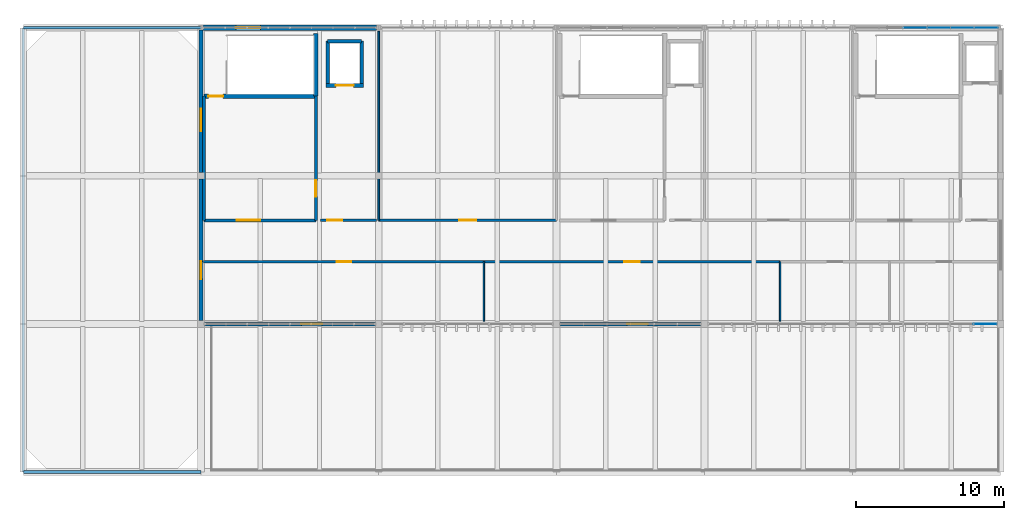
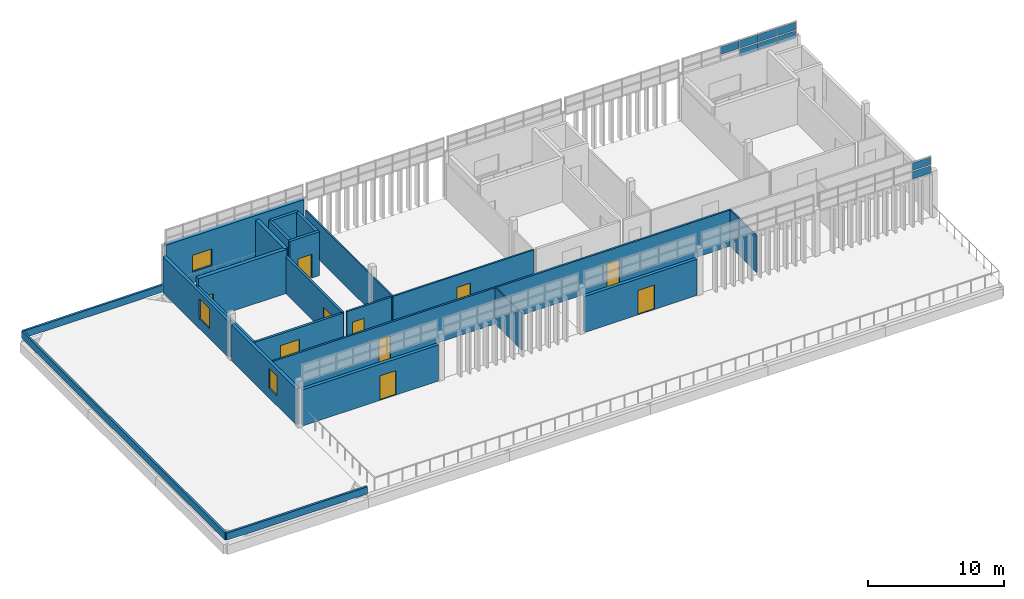
# One storey, part 33 of 36: 24 walls, 10 doors, 9 plates, 3 windows, 13 openings, 2 elements without a shape of their own.
"""IFC4 building model written with IfcOpenShell, lengths in metres."""

from ifc_helpers import new_model, si_unit, direction, frame, frame_2d, origin, origin_2d, place, context, subcontext, project, spatial, rectangle, extrude, material, layer, layer_set, type_object, element, fill, aggregate, save


model = new_model("IFC4")

# Units and contexts
model_context = context("Model", 3, precision=1e-05, world=origin(), true_north=direction((0.0, 1.0)))
body_context = subcontext(model_context, "Body", "Model", "MODEL_VIEW")
ifc_project = project(units=[si_unit("LENGTHUNIT", "METRE"), si_unit("AREAUNIT", "SQUARE_METRE"), si_unit("VOLUMEUNIT", "CUBIC_METRE"), si_unit("PLANEANGLEUNIT", "RADIAN"), si_unit("MASSUNIT", "GRAM", prefix="KILO")], contexts=[model_context])

# Site, building, storey
site_placement = place(None, origin())
site = spatial("IfcSite", under=ifc_project, at=site_placement, CompositionType="ELEMENT")
building_placement = place(site_placement, origin())
building = spatial("IfcBuilding", under=site, at=building_placement, Name="Mersad Railyard Sports Hall", CompositionType="ELEMENT")
storey_placement = place(building_placement, frame((0.0, 0.0, 21.60009765625)))
storey = spatial("IfcBuildingStorey", under=building, at=storey_placement, Name="L05", CompositionType="ELEMENT", Elevation=21.60009765625)

# Curtain wall, plates
ifc_material_1 = material(Name="Aluminium 6063-T6", Category="aluminium")
ifc_layer_1 = layer(ifc_material_1, 0.159912109375)
ifc_layer_set_1 = layer_set([ifc_layer_1], Name="Aluminium 6063-T6")
curtain_wall_type_1 = type_object("IfcCurtainWallType", Name="ARC-CW-CW50", PredefinedType="USERDEFINED", material=ifc_layer_set_1)
curtain_wall_1_placement = place(storey_placement, origin())
curtain_wall_1 = element("IfcCurtainWall", 1, at=curtain_wall_1_placement, inside=storey, type_object=curtain_wall_type_1, Name="Curtain wall CW50-0136", ObjectType="CURTAIN WALL", PredefinedType="USERDEFINED")
ifc_material_2 = material(Name="Solar-control glass", Category="glass")
ifc_layer_2 = layer(ifc_material_2, 0.028076171875)
ifc_layer_set_2 = layer_set([ifc_layer_2], Name="Solar-control glass")
plate_type = type_object("IfcPlateType", Name="ARC-CW-PNL01", PredefinedType="CURTAIN_PANEL", material=ifc_layer_set_2)
plate_1_placement = place(storey_placement, frame((119.96240234375, 95.0, 3.934814453125), z_axis=(0.0, 0.0, 1.0), x_axis=(-1.0, 0.0, 0.0)))
plate_1 = element("IfcPlate", 2, at=plate_1_placement, type_object=plate_type, Name="CW50 Glazed panel 1-1", PredefinedType="CURTAIN_PANEL", context=body_context, shape_type="SweptSolid", body=[
    extrude(rectangle(XDim=1.541015625, YDim=0.028076171875, at=origin_2d()), origin(), (0.0, 0.0, 1.0), 0.68505859375),
])
plate_2_placement = place(storey_placement, frame((119.96240234375, 95.0, 4.7099609375), z_axis=(0.0, 0.0, 1.0), x_axis=(-1.0, 0.0, 0.0)))
plate_2 = element("IfcPlate", 3, at=plate_2_placement, type_object=plate_type, Name="CW50 Glazed panel 1-2", PredefinedType="CURTAIN_PANEL", context=body_context, shape_type="SweptSolid", body=[
    extrude(rectangle(XDim=1.541015625, YDim=0.028076171875, at=origin_2d()), origin(), (0.0, 0.0, 1.0), 0.68505859375),
])
aggregate(curtain_wall_1, [plate_1, plate_2])

ifc_layer_3 = layer(ifc_material_1, 0.159912109375)
ifc_layer_set_3 = layer_set([ifc_layer_3], Name="Aluminium 6063-T6")
curtain_wall_type_2 = type_object("IfcCurtainWallType", Name="ARC-CW-CW51", PredefinedType="USERDEFINED", material=ifc_layer_set_3)
curtain_wall_2_placement = place(storey_placement, origin())
curtain_wall_2 = element("IfcCurtainWall", 4, at=curtain_wall_2_placement, inside=storey, type_object=curtain_wall_type_2, Name="Curtain wall CW51-0137", ObjectType="CURTAIN WALL", PredefinedType="USERDEFINED")
plate_3_placement = place(storey_placement, frame((115.195068359375, 115.0, 4.7099609375), z_axis=(0.0, 0.0, 1.0), x_axis=(1.0, 0.0, 0.0)))
plate_3 = element("IfcPlate", 5, at=plate_3_placement, type_object=plate_type, Name="CW51 Glazed panel 3-2", PredefinedType="CURTAIN_PANEL", context=body_context, shape_type="SweptSolid", body=[
    extrude(rectangle(XDim=1.56591796875, YDim=0.028076171875, at=origin_2d()), origin(), (0.0, 0.0, 1.0), 0.68505859375),
])
plate_4_placement = place(storey_placement, frame((116.804931640625, 115.0, 3.934814453125), z_axis=(0.0, 0.0, 1.0), x_axis=(1.0, 0.0, 0.0)))
plate_4 = element("IfcPlate", 6, at=plate_4_placement, type_object=plate_type, Name="CW51 Glazed panel 4-1", PredefinedType="CURTAIN_PANEL", context=body_context, shape_type="SweptSolid", body=[
    extrude(rectangle(XDim=1.56591796875, YDim=0.028076171875, at=origin_2d()), origin(), (0.0, 0.0, 1.0), 0.68505859375),
])
plate_5_placement = place(storey_placement, frame((116.804931640625, 115.0, 4.7099609375), z_axis=(0.0, 0.0, 1.0), x_axis=(1.0, 0.0, 0.0)))
plate_5 = element("IfcPlate", 7, at=plate_5_placement, type_object=plate_type, Name="CW51 Glazed panel 4-2", PredefinedType="CURTAIN_PANEL", context=body_context, shape_type="SweptSolid", body=[
    extrude(rectangle(XDim=1.56591796875, YDim=0.028076171875, at=origin_2d()), origin(), (0.0, 0.0, 1.0), 0.68505859375),
])
plate_6_placement = place(storey_placement, frame((118.4150390625, 115.0, 3.934814453125), z_axis=(0.0, 0.0, 1.0), x_axis=(1.0, 0.0, 0.0)))
plate_6 = element("IfcPlate", 8, at=plate_6_placement, type_object=plate_type, Name="CW51 Glazed panel 5-1", PredefinedType="CURTAIN_PANEL", context=body_context, shape_type="SweptSolid", body=[
    extrude(rectangle(XDim=1.56591796875, YDim=0.028076171875, at=origin_2d()), origin(), (0.0, 0.0, 1.0), 0.68505859375),
])
plate_7_placement = place(storey_placement, frame((118.4150390625, 115.0, 4.7099609375), z_axis=(0.0, 0.0, 1.0), x_axis=(1.0, 0.0, 0.0)))
plate_7 = element("IfcPlate", 9, at=plate_7_placement, type_object=plate_type, Name="CW51 Glazed panel 5-2", PredefinedType="CURTAIN_PANEL", context=body_context, shape_type="SweptSolid", body=[
    extrude(rectangle(XDim=1.56591796875, YDim=0.028076171875, at=origin_2d()), origin(), (0.0, 0.0, 1.0), 0.68505859375),
])
plate_8_placement = place(storey_placement, frame((120.02490234375, 115.0, 3.934814453125), z_axis=(0.0, 0.0, 1.0), x_axis=(1.0, 0.0, 0.0)))
plate_8 = element("IfcPlate", 10, at=plate_8_placement, type_object=plate_type, Name="CW51 Glazed panel 6-1", PredefinedType="CURTAIN_PANEL", context=body_context, shape_type="SweptSolid", body=[
    extrude(rectangle(XDim=1.56591796875, YDim=0.028076171875, at=origin_2d()), origin(), (0.0, 0.0, 1.0), 0.68505859375),
])
plate_9_placement = place(storey_placement, frame((120.02490234375, 115.0, 4.7099609375), z_axis=(0.0, 0.0, 1.0), x_axis=(1.0, 0.0, 0.0)))
plate_9 = element("IfcPlate", 11, at=plate_9_placement, type_object=plate_type, Name="CW51 Glazed panel 6-2", PredefinedType="CURTAIN_PANEL", context=body_context, shape_type="SweptSolid", body=[
    extrude(rectangle(XDim=1.56591796875, YDim=0.028076171875, at=origin_2d()), origin(), (0.0, 0.0, 1.0), 0.68505859375),
])
aggregate(curtain_wall_2, [plate_3, plate_4, plate_5, plate_6, plate_7, plate_8, plate_9])

# Wall, opening, window
ifc_material_3 = material(Name="Architectural concrete C50/60", Category="concrete")
ifc_layer_4 = layer(ifc_material_3, 0.35009765625)
ifc_layer_set_4 = layer_set([ifc_layer_4], Name="Architectural concrete C50/60")
wall_type_1 = type_object("IfcWallType", Name="ARC-WL-EW02", PredefinedType="SOLIDWALL", material=ifc_layer_set_4)
wall_1_placement = place(storey_placement, frame((67.14990234375, 115.0, 0.0), z_axis=(0.0, 0.0, 1.0), x_axis=(1.0, 0.0, 0.0)))
wall_1 = element("IfcWall", 12, at=wall_1_placement, inside=storey, type_object=wall_type_1, Name="External wall EW02-0147", PredefinedType="SOLIDWALL", context=body_context, shape_type="SweptSolid", body=[
    extrude(rectangle(XDim=11.7001953125, YDim=0.35009765625, at=frame_2d((5.85009765625, 0.0))), origin(), (0.0, 0.0, 1.0), 4.199951171875),
])
opening_1_placement = place(wall_1_placement, frame((2.199951171875, 0.0, 1.0)))
opening_1 = element("IfcOpeningElement", 13, at=opening_1_placement, cuts=wall_1, Name="Opening W04", PredefinedType="OPENING", context=body_context, shape_type="SweptSolid", body=[
    extrude(rectangle(XDim=1.64990234375, YDim=1.5, at=frame_2d((0.824951171875, 0.75))), frame((0.0, 0.18505859375, 0.0), z_axis=(0.0, -1.0, 0.0), x_axis=(1.0, 0.0, 0.0)), (0.0, 0.0, 1.0), 0.3701171875),
])
window_type_1 = type_object("IfcWindowType", Name="ARC-WN-W04", PartitioningType="SINGLE_PANEL", PredefinedType="WINDOW", material=ifc_material_2)
window_1_placement = place(opening_1_placement, origin())
window_1 = element("IfcWindow", 14, at=window_1_placement, inside=storey, type_object=window_type_1, Name="Window W04-0056", OverallHeight=1.5, OverallWidth=1.64990234375, PartitioningType="SINGLE_PANEL", PredefinedType="WINDOW", context=body_context, shape_type="SweptSolid", body=[
    extrude(rectangle(XDim=1.64990234375, YDim=1.5, at=frame_2d((0.824951171875, 0.75))), frame((0.0, 0.030029296875, 0.0), z_axis=(0.0, -1.0, 0.0), x_axis=(1.0, 0.0, 0.0)), (0.0, 0.0, 1.0), 0.06005859375),
])
fill(opening_1, window_1)

# Wall, opening, door
ifc_material_4 = material(Name="Precast concrete C45/55", Category="concrete")
ifc_layer_5 = layer(ifc_material_4, 0.280029296875)
ifc_layer_set_5 = layer_set([ifc_layer_5], Name="Precast concrete C45/55")
wall_type_2 = type_object("IfcWallType", Name="ARC-WL-EW03", PredefinedType="SOLIDWALL", material=ifc_layer_set_5)
wall_2_placement = place(storey_placement, frame((78.77490234375, 95.0, 0.0), z_axis=(0.0, 0.0, 1.0), x_axis=(-1.0, 0.0, 0.0)))
wall_2 = element("IfcWall", 15, at=wall_2_placement, inside=storey, type_object=wall_type_2, Name="External wall EW03-0150", PredefinedType="SOLIDWALL", context=body_context, shape_type="SweptSolid", body=[
    extrude(rectangle(XDim=11.5498046875, YDim=0.280029296875, at=frame_2d((5.77490234375, 0.0))), origin(), (0.0, 0.0, 1.0), 3.25),
])
opening_2_placement = place(wall_2_placement, frame((3.60009765625, 0.0, 0.0)))
opening_2 = element("IfcOpeningElement", 16, at=opening_2_placement, cuts=wall_2, Name="Opening TD03", PredefinedType="OPENING", context=body_context, shape_type="SweptSolid", body=[
    extrude(rectangle(XDim=1.39990234375, YDim=2.199951171875, at=frame_2d((0.699951171875, 1.10009765625))), frame((0.0, 0.14990234375, 0.0), z_axis=(0.0, -1.0, 0.0), x_axis=(1.0, 0.0, 0.0)), (0.0, 0.0, 1.0), 0.300048828125),
])
door_type_1 = type_object("IfcDoorType", Name="ARC-DR-TD03", OperationType="NOTDEFINED", PredefinedType="DOOR", material=ifc_material_1)
door_1_placement = place(opening_2_placement, origin())
door_1 = element("IfcDoor", 17, at=door_1_placement, inside=storey, type_object=door_type_1, Name="L05 south terrace door TD03-046", OperationType="DOUBLE_DOOR_SINGLE_SWING", OverallHeight=2.199951171875, OverallWidth=1.39990234375, PredefinedType="DOOR", context=body_context, shape_type="SweptSolid", body=[
    extrude(rectangle(XDim=1.39990234375, YDim=2.199951171875, at=frame_2d((0.699951171875, 1.10009765625))), frame((0.0, 0.02490234375, 0.0), z_axis=(0.0, -1.0, 0.0), x_axis=(1.0, 0.0, 0.0)), (0.0, 0.0, 1.0), 0.050048828125),
])
fill(opening_2, door_1)

wall_3_placement = place(storey_placement, frame((100.77490234375, 95.0, 0.0), z_axis=(0.0, 0.0, 1.0), x_axis=(-1.0, 0.0, 0.0)))
wall_3 = element("IfcWall", 18, at=wall_3_placement, inside=storey, type_object=wall_type_2, Name="External wall EW03-0151", PredefinedType="SOLIDWALL", context=body_context, shape_type="SweptSolid", body=[
    extrude(rectangle(XDim=9.5498046875, YDim=0.280029296875, at=frame_2d((4.77490234375, 0.0))), origin(), (0.0, 0.0, 1.0), 3.25),
])
opening_3_placement = place(wall_3_placement, frame((3.60009765625, 0.0, 0.0)))
opening_3 = element("IfcOpeningElement", 19, at=opening_3_placement, cuts=wall_3, Name="Opening TD03", PredefinedType="OPENING", context=body_context, shape_type="SweptSolid", body=[
    extrude(rectangle(XDim=1.39990234375, YDim=2.199951171875, at=frame_2d((0.699951171875, 1.10009765625))), frame((0.0, 0.14990234375, 0.0), z_axis=(0.0, -1.0, 0.0), x_axis=(1.0, 0.0, 0.0)), (0.0, 0.0, 1.0), 0.300048828125),
])
door_2_placement = place(opening_3_placement, origin())
door_2 = element("IfcDoor", 20, at=door_2_placement, inside=storey, type_object=door_type_1, Name="L05 south terrace door TD03-047", OperationType="DOUBLE_DOOR_SINGLE_SWING", OverallHeight=2.199951171875, OverallWidth=1.39990234375, PredefinedType="DOOR", context=body_context, shape_type="SweptSolid", body=[
    extrude(rectangle(XDim=1.39990234375, YDim=2.199951171875, at=frame_2d((0.699951171875, 1.10009765625))), frame((0.0, 0.02490234375, 0.0), z_axis=(0.0, -1.0, 0.0), x_axis=(1.0, 0.0, 0.0)), (0.0, 0.0, 1.0), 0.050048828125),
])
fill(opening_3, door_2)

# Wall, opening, window
wall_4_placement = place(storey_placement, frame((67.0, 95.22509765625, 0.0), z_axis=(0.0, 0.0, 1.0), x_axis=(0.0, 1.0, 0.0)))
wall_4 = element("IfcWall", 21, at=wall_4_placement, inside=storey, type_object=wall_type_2, Name="External wall EW03-0152", PredefinedType="SOLIDWALL", context=body_context, shape_type="SweptSolid", body=[
    extrude(rectangle(XDim=9.5498046875, YDim=0.280029296875, at=frame_2d((4.77490234375, 0.0))), origin(), (0.0, 0.0, 1.0), 3.25),
])
opening_4_placement = place(wall_4_placement, frame((2.800048828125, 0.0, 0.89990234375)))
opening_4 = element("IfcOpeningElement", 22, at=opening_4_placement, cuts=wall_4, Name="Opening W09", PredefinedType="OPENING", context=body_context, shape_type="SweptSolid", body=[
    extrude(rectangle(XDim=1.199951171875, YDim=1.800048828125, at=frame_2d((0.60009765625, 0.89990234375))), frame((0.0, 0.14990234375, 0.0), z_axis=(0.0, -1.0, 0.0), x_axis=(1.0, 0.0, 0.0)), (0.0, 0.0, 1.0), 0.300048828125),
])
window_type_2 = type_object("IfcWindowType", Name="ARC-WN-W09", PartitioningType="SINGLE_PANEL", PredefinedType="WINDOW", material=ifc_material_2)
window_2_placement = place(opening_4_placement, origin())
window_2 = element("IfcWindow", 23, at=window_2_placement, inside=storey, type_object=window_type_2, Name="Window W09-0059", OverallHeight=1.800048828125, OverallWidth=1.199951171875, PartitioningType="SINGLE_PANEL", PredefinedType="WINDOW", context=body_context, shape_type="SweptSolid", body=[
    extrude(rectangle(XDim=1.199951171875, YDim=1.800048828125, at=frame_2d((0.60009765625, 0.89990234375))), frame((0.0, 0.030029296875, 0.0), z_axis=(0.0, -1.0, 0.0), x_axis=(1.0, 0.0, 0.0)), (0.0, 0.0, 1.0), 0.06005859375),
])
fill(opening_4, window_2)

wall_5_placement = place(storey_placement, frame((67.0, 105.22509765625, 0.0), z_axis=(0.0, 0.0, 1.0), x_axis=(0.0, 1.0, 0.0)))
wall_5 = element("IfcWall", 24, at=wall_5_placement, inside=storey, type_object=wall_type_2, Name="External wall EW03-0153", PredefinedType="SOLIDWALL", context=body_context, shape_type="SweptSolid", body=[
    extrude(rectangle(XDim=9.625, YDim=0.280029296875, at=frame_2d((4.8125, 0.0))), origin(), (0.0, 0.0, 1.0), 3.25),
])
opening_5_placement = place(wall_5_placement, frame((2.800048828125, 0.0, 0.89990234375)))
opening_5 = element("IfcOpeningElement", 25, at=opening_5_placement, cuts=wall_5, Name="Opening W10", PredefinedType="OPENING", context=body_context, shape_type="SweptSolid", body=[
    extrude(rectangle(XDim=1.5, YDim=1.800048828125, at=frame_2d((0.75, 0.89990234375))), frame((0.0, 0.14990234375, 0.0), z_axis=(0.0, -1.0, 0.0), x_axis=(1.0, 0.0, 0.0)), (0.0, 0.0, 1.0), 0.300048828125),
])
window_type_3 = type_object("IfcWindowType", Name="ARC-WN-W10", PartitioningType="SINGLE_PANEL", PredefinedType="WINDOW", material=ifc_material_2)
window_3_placement = place(opening_5_placement, origin())
window_3 = element("IfcWindow", 26, at=window_3_placement, inside=storey, type_object=window_type_3, Name="Window W10-0060", OverallHeight=1.800048828125, OverallWidth=1.5, PartitioningType="SINGLE_PANEL", PredefinedType="WINDOW", context=body_context, shape_type="SweptSolid", body=[
    extrude(rectangle(XDim=1.5, YDim=1.800048828125, at=frame_2d((0.75, 0.89990234375))), frame((0.0, 0.030029296875, 0.0), z_axis=(0.0, -1.0, 0.0), x_axis=(1.0, 0.0, 0.0)), (0.0, 0.0, 1.0), 0.06005859375),
])
fill(opening_5, window_3)

# Walls
ifc_layer_6 = layer(ifc_material_4, 0.179931640625)
ifc_layer_set_6 = layer_set([ifc_layer_6], Name="Precast concrete C45/55")
wall_type_3 = type_object("IfcWallType", Name="ARC-WL-PP02", PredefinedType="PARAPET", material=ifc_layer_set_6)
wall_6_placement = place(storey_placement, frame((55.0, 85.0, 0.0), z_axis=(0.0, 0.0, 1.0), x_axis=(1.0, 0.0, 0.0)))
element("IfcWall", 27, at=wall_6_placement, inside=storey, type_object=wall_type_3, Name="External wall PP02-0164", PredefinedType="PARAPET", context=body_context, shape_type="SweptSolid", body=[
    extrude(rectangle(XDim=12.0, YDim=0.179931640625, at=frame_2d((6.0, 0.0))), origin(), (0.0, 0.0, 1.0), 0.64990234375),
])
wall_7_placement = place(storey_placement, frame((55.0, 85.0, 0.0), z_axis=(0.0, 0.0, 1.0), x_axis=(0.0, 1.0, 0.0)))
element("IfcWall", 28, at=wall_7_placement, inside=storey, type_object=wall_type_3, Name="External wall PP02-0165", PredefinedType="PARAPET", context=body_context, shape_type="SweptSolid", body=[
    extrude(rectangle(XDim=30.0, YDim=0.179931640625, at=frame_2d((15.0, 0.0))), origin(), (0.0, 0.0, 1.0), 0.64990234375),
])
wall_8_placement = place(storey_placement, frame((55.0, 115.0, 0.0), z_axis=(0.0, 0.0, 1.0), x_axis=(1.0, 0.0, 0.0)))
element("IfcWall", 29, at=wall_8_placement, inside=storey, type_object=wall_type_3, Name="External wall PP02-0166", PredefinedType="PARAPET", context=body_context, shape_type="SweptSolid", body=[
    extrude(rectangle(XDim=12.0, YDim=0.179931640625, at=frame_2d((6.0, 0.0))), origin(), (0.0, 0.0, 1.0), 0.64990234375),
])
ifc_layer_7 = layer(ifc_material_4, 0.199951171875)
ifc_layer_set_7 = layer_set([ifc_layer_7], Name="Precast concrete C45/55")
wall_type_4 = type_object("IfcWallType", Name="ARC-WL-PT01", PredefinedType="PARTITIONING", material=ifc_layer_set_7)
wall_9_placement = place(storey_placement, frame((67.199951171875, 102.0, 0.0), z_axis=(0.0, 0.0, 1.0), x_axis=(0.0, 1.0, 0.0)))
element("IfcWall", 30, at=wall_9_placement, inside=storey, type_object=wall_type_4, Name="Interior wall PT01-0189", PredefinedType="PARTITIONING", context=body_context, shape_type="SweptSolid", body=[
    extrude(rectangle(XDim=8.3798828125, YDim=0.199951171875, at=frame_2d((4.18994140625, 0.0))), origin(), (0.0, 0.0, 1.0), 3.25),
])

# Wall, opening, door
wall_10_placement = place(storey_placement, frame((67.199951171875, 102.0, 0.0), z_axis=(0.0, 0.0, 1.0), x_axis=(1.0, 0.0, 0.0)))
wall_10 = element("IfcWall", 31, at=wall_10_placement, inside=storey, type_object=wall_type_4, Name="Interior wall PT01-0190", PredefinedType="PARTITIONING", context=body_context, shape_type="SweptSolid", body=[
    extrude(rectangle(XDim=7.550048828125, YDim=0.199951171875, at=frame_2d((3.77490234375, 0.0))), origin(), (0.0, 0.0, 1.0), 3.25),
])
opening_6_placement = place(wall_10_placement, frame((2.199951171875, 0.0, 0.0)))
opening_6 = element("IfcOpeningElement", 32, at=opening_6_placement, cuts=wall_10, Name="Opening FD04", PredefinedType="OPENING", context=body_context, shape_type="SweptSolid", body=[
    extrude(rectangle(XDim=1.60009765625, YDim=2.199951171875, at=frame_2d((0.800048828125, 1.10009765625))), frame((0.0, 0.10986328125, 0.0), z_axis=(0.0, -1.0, 0.0), x_axis=(1.0, 0.0, 0.0)), (0.0, 0.0, 1.0), 0.219970703125),
])
ifc_material_5 = material(Name="Steel S355", Category="steel")
door_type_2 = type_object("IfcDoorType", Name="ARC-DR-FD04", OperationType="NOTDEFINED", PredefinedType="DOOR", material=ifc_material_5)
door_3_placement = place(opening_6_placement, origin())
door_3 = element("IfcDoor", 33, at=door_3_placement, inside=storey, type_object=door_type_2, Name="C1 firefighting lobby door FD04-0066", OperationType="DOUBLE_DOOR_SINGLE_SWING", OverallHeight=2.199951171875, OverallWidth=1.60009765625, PredefinedType="DOOR", context=body_context, shape_type="SweptSolid", body=[
    extrude(rectangle(XDim=1.60009765625, YDim=2.199951171875, at=frame_2d((0.800048828125, 1.10009765625))), frame((0.0, 0.02490234375, 0.0), z_axis=(0.0, -1.0, 0.0), x_axis=(1.0, 0.0, 0.0)), (0.0, 0.0, 1.0), 0.050048828125),
])
fill(opening_6, door_3)

wall_11_placement = place(storey_placement, frame((74.75, 102.0, 0.0), z_axis=(0.0, 0.0, 1.0), x_axis=(0.0, 1.0, 0.0)))
wall_11 = element("IfcWall", 34, at=wall_11_placement, inside=storey, type_object=wall_type_4, Name="Interior wall PT01-0191", PredefinedType="PARTITIONING", context=body_context, shape_type="SweptSolid", body=[
    extrude(rectangle(XDim=8.3798828125, YDim=0.199951171875, at=frame_2d((4.18994140625, 0.0))), origin(), (0.0, 0.0, 1.0), 3.2998046875),
])
opening_7_placement = place(wall_11_placement, frame((1.60009765625, 0.0, 0.0)))
opening_7 = element("IfcOpeningElement", 35, at=opening_7_placement, cuts=wall_11, Name="Opening FD01", PredefinedType="OPENING", context=body_context, shape_type="SweptSolid", body=[
    extrude(rectangle(XDim=1.10009765625, YDim=2.14990234375, at=frame_2d((0.550048828125, 1.074951171875))), frame((0.0, 0.10986328125, 0.0), z_axis=(0.0, -1.0, 0.0), x_axis=(1.0, 0.0, 0.0)), (0.0, 0.0, 1.0), 0.219970703125),
])
door_type_3 = type_object("IfcDoorType", Name="ARC-DR-FD01", OperationType="NOTDEFINED", PredefinedType="DOOR", material=ifc_material_5)
door_4_placement = place(opening_7_placement, origin())
door_4 = element("IfcDoor", 36, at=door_4_placement, inside=storey, type_object=door_type_3, Name="C1 lift-to-firefighting lobby door FD01-0067", OperationType="SINGLE_SWING_RIGHT", OverallHeight=2.14990234375, OverallWidth=1.10009765625, PredefinedType="DOOR", context=body_context, shape_type="SweptSolid", body=[
    extrude(rectangle(XDim=1.10009765625, YDim=2.14990234375, at=frame_2d((0.550048828125, 1.074951171875))), frame((0.0, 0.02490234375, 0.0), z_axis=(0.0, -1.0, 0.0), x_axis=(1.0, 0.0, 0.0)), (0.0, 0.0, 1.0), 0.050048828125),
])
fill(opening_7, door_4)

ifc_material_6 = material(Name="Gypsum plasterboard", Category="gypsum")
ifc_layer_8 = layer(ifc_material_6, 0.159912109375)
ifc_layer_set_8 = layer_set([ifc_layer_8], Name="Gypsum plasterboard")
wall_type_5 = type_object("IfcWallType", Name="ARC-WL-PT02", PredefinedType="PARTITIONING", material=ifc_layer_set_8)
wall_12_placement = place(storey_placement, frame((75.070068359375, 102.0, 0.0), z_axis=(0.0, 0.0, 1.0), x_axis=(1.0, 0.0, 0.0)))
wall_12 = element("IfcWall", 37, at=wall_12_placement, inside=storey, type_object=wall_type_5, Name="Interior wall PT02-0192", PredefinedType="PARTITIONING", context=body_context, shape_type="SweptSolid", body=[
    extrude(rectangle(XDim=3.780029296875, YDim=0.159912109375, at=frame_2d((1.89013671875, 0.0))), origin(), (0.0, 0.0, 1.0), 3.25),
])
opening_8_placement = place(wall_12_placement, frame((0.449951171875, 0.0, 0.0)))
opening_8 = element("IfcOpeningElement", 38, at=opening_8_placement, cuts=wall_12, Name="Opening FD02", PredefinedType="OPENING", context=body_context, shape_type="SweptSolid", body=[
    extrude(rectangle(XDim=1.0, YDim=2.14990234375, at=frame_2d((0.5, 1.074951171875))), frame((0.0, 0.08984375, 0.0), z_axis=(0.0, -1.0, 0.0), x_axis=(1.0, 0.0, 0.0)), (0.0, 0.0, 1.0), 0.179931640625),
])
door_type_4 = type_object("IfcDoorType", Name="ARC-DR-FD02", OperationType="NOTDEFINED", PredefinedType="DOOR", material=ifc_material_5)
door_5_placement = place(opening_8_placement, origin())
door_5 = element("IfcDoor", 39, at=door_5_placement, inside=storey, type_object=door_type_4, Name="C1 lift lobby corridor door FD02-0068", OperationType="SINGLE_SWING_LEFT", OverallHeight=2.14990234375, OverallWidth=1.0, PredefinedType="DOOR", context=body_context, shape_type="SweptSolid", body=[
    extrude(rectangle(XDim=1.0, YDim=2.14990234375, at=frame_2d((0.5, 1.074951171875))), frame((0.0, 0.02490234375, 0.0), z_axis=(0.0, -1.0, 0.0), x_axis=(1.0, 0.0, 0.0)), (0.0, 0.0, 1.0), 0.050048828125),
])
fill(opening_8, door_5)

wall_13_placement = place(storey_placement, frame((67.179931640625, 99.199951171875, 0.0), z_axis=(0.0, 0.0, 1.0), x_axis=(1.0, 0.0, 0.0)))
wall_13 = element("IfcWall", 40, at=wall_13_placement, inside=storey, type_object=wall_type_5, Name="Interior wall PT02-0515", PredefinedType="PARTITIONING", context=body_context, shape_type="SweptSolid", body=[
    extrude(rectangle(XDim=18.920166015625, YDim=0.159912109375, at=frame_2d((9.4599609375, 0.0))), origin(), (0.0, 0.0, 1.0), 3.25),
])
opening_9_placement = place(wall_13_placement, frame((8.969970703125, 0.0, 0.0)))
opening_9 = element("IfcOpeningElement", 41, at=opening_9_placement, cuts=wall_13, Name="Opening FD06", PredefinedType="OPENING", context=body_context, shape_type="SweptSolid", body=[
    extrude(rectangle(XDim=0.97998046875, YDim=2.10009765625, at=frame_2d((0.489990234375, 1.050048828125))), frame((0.0, 0.08984375, 0.0), z_axis=(0.0, -1.0, 0.0), x_axis=(1.0, 0.0, 0.0)), (0.0, 0.0, 1.0), 0.179931640625),
])
door_type_5 = type_object("IfcDoorType", Name="ARC-DR-FD06", OperationType="NOTDEFINED", PredefinedType="DOOR", material=ifc_material_5)
door_6_placement = place(opening_9_placement, origin())
door_6 = element("IfcDoor", 42, at=door_6_placement, inside=storey, type_object=door_type_5, Name="L05 south room door FD06-0232", OperationType="SINGLE_SWING_RIGHT", OverallHeight=2.10009765625, OverallWidth=0.97998046875, PredefinedType="DOOR", context=body_context, shape_type="SweptSolid", body=[
    extrude(rectangle(XDim=0.97998046875, YDim=2.10009765625, at=frame_2d((0.489990234375, 1.050048828125))), frame((0.0, 0.02490234375, 0.0), z_axis=(0.0, -1.0, 0.0), x_axis=(1.0, 0.0, 0.0)), (0.0, 0.0, 1.0), 0.050048828125),
])
fill(opening_9, door_6)

wall_14_placement = place(storey_placement, frame((86.10009765625, 99.199951171875, 0.0), z_axis=(0.0, 0.0, 1.0), x_axis=(1.0, 0.0, 0.0)))
wall_14 = element("IfcWall", 43, at=wall_14_placement, inside=storey, type_object=wall_type_5, Name="Interior wall PT02-0516", PredefinedType="PARTITIONING", context=body_context, shape_type="SweptSolid", body=[
    extrude(rectangle(XDim=20.0, YDim=0.159912109375, at=frame_2d((10.0, 0.0))), origin(), (0.0, 0.0, 1.0), 3.25),
])
opening_10_placement = place(wall_14_placement, frame((9.47509765625, 0.0, 0.0)))
opening_10 = element("IfcOpeningElement", 44, at=opening_10_placement, cuts=wall_14, Name="Opening FD07", PredefinedType="OPENING", context=body_context, shape_type="SweptSolid", body=[
    extrude(rectangle(XDim=1.050048828125, YDim=2.10009765625, at=frame_2d((0.52490234375, 1.050048828125))), frame((0.0, 0.08984375, 0.0), z_axis=(0.0, -1.0, 0.0), x_axis=(1.0, 0.0, 0.0)), (0.0, 0.0, 1.0), 0.179931640625),
])
door_type_6 = type_object("IfcDoorType", Name="ARC-DR-FD07", OperationType="NOTDEFINED", PredefinedType="DOOR", material=ifc_material_5)
door_7_placement = place(opening_10_placement, origin())
door_7 = element("IfcDoor", 45, at=door_7_placement, inside=storey, type_object=door_type_6, Name="L05 south room door FD07-0233", OperationType="SINGLE_SWING_LEFT", OverallHeight=2.10009765625, OverallWidth=1.050048828125, PredefinedType="DOOR", context=body_context, shape_type="SweptSolid", body=[
    extrude(rectangle(XDim=1.050048828125, YDim=2.10009765625, at=frame_2d((0.52490234375, 1.050048828125))), frame((0.0, 0.02490234375, 0.0), z_axis=(0.0, -1.0, 0.0), x_axis=(1.0, 0.0, 0.0)), (0.0, 0.0, 1.0), 0.050048828125),
])
fill(opening_10, door_7)

ifc_layer_9 = layer(ifc_material_6, 0.139892578125)
ifc_layer_set_9 = layer_set([ifc_layer_9], Name="Gypsum plasterboard")
wall_type_6 = type_object("IfcWallType", Name="ARC-WL-PT03", PredefinedType="PARTITIONING", material=ifc_layer_set_9)
wall_15_placement = place(storey_placement, frame((79.0, 102.0, 0.0), z_axis=(0.0, 0.0, 1.0), x_axis=(1.0, 0.0, 0.0)))
wall_15 = element("IfcWall", 46, at=wall_15_placement, inside=storey, type_object=wall_type_6, Name="Interior wall PT03-0522", PredefinedType="PARTITIONING", context=body_context, shape_type="SweptSolid", body=[
    extrude(rectangle(XDim=12.0, YDim=0.139892578125, at=frame_2d((6.0, 0.0))), origin(), (0.0, 0.0, 1.0), 3.25),
])
opening_11_placement = place(wall_15_placement, frame((5.425048828125, 0.0, 0.0)))
opening_11 = element("IfcOpeningElement", 47, at=opening_11_placement, cuts=wall_15, Name="Opening FD08", PredefinedType="OPENING", context=body_context, shape_type="SweptSolid", body=[
    extrude(rectangle(XDim=1.14990234375, YDim=2.14990234375, at=frame_2d((0.574951171875, 1.074951171875))), frame((0.0, 0.079833984375, 0.0), z_axis=(0.0, -1.0, 0.0), x_axis=(1.0, 0.0, 0.0)), (0.0, 0.0, 1.0), 0.159912109375),
])
door_type_7 = type_object("IfcDoorType", Name="ARC-DR-FD08", OperationType="NOTDEFINED", PredefinedType="DOOR", material=ifc_material_5)
door_8_placement = place(opening_11_placement, origin())
door_8 = element("IfcDoor", 48, at=door_8_placement, inside=storey, type_object=door_type_7, Name="L05 north studio door FD08-0236", OperationType="SINGLE_SWING_RIGHT", OverallHeight=2.14990234375, OverallWidth=1.14990234375, PredefinedType="DOOR", context=body_context, shape_type="SweptSolid", body=[
    extrude(rectangle(XDim=1.14990234375, YDim=2.14990234375, at=frame_2d((0.574951171875, 1.074951171875))), frame((0.0, 0.02490234375, 0.0), z_axis=(0.0, -1.0, 0.0), x_axis=(1.0, 0.0, 0.0)), (0.0, 0.0, 1.0), 0.050048828125),
])
fill(opening_11, door_8)

# Walls
ifc_layer_10 = layer(ifc_material_6, 0.1201171875)
ifc_layer_set_10 = layer_set([ifc_layer_10], Name="Gypsum plasterboard")
wall_type_7 = type_object("IfcWallType", Name="ARC-WL-PT04", PredefinedType="PARTITIONING", material=ifc_layer_set_10)
wall_16_placement = place(storey_placement, frame((79.0, 102.0, 0.0), z_axis=(0.0, 0.0, 1.0), x_axis=(0.0, 1.0, 0.0)))
element("IfcWall", 49, at=wall_16_placement, inside=storey, type_object=wall_type_7, Name="Interior wall PT04-0523", PredefinedType="PARTITIONING", context=body_context, shape_type="SweptSolid", body=[
    extrude(rectangle(XDim=12.75, YDim=0.1201171875, at=frame_2d((6.375, 0.0))), origin(), (0.0, 0.0, 1.0), 3.25),
])
ifc_layer_11 = layer(ifc_material_6, 0.10009765625)
ifc_layer_set_11 = layer_set([ifc_layer_11], Name="Gypsum plasterboard")
wall_type_8 = type_object("IfcWallType", Name="ARC-WL-PT05", PredefinedType="PARTITIONING", material=ifc_layer_set_11)
for number, where, z_axis, x_axis, name in (
    (50, (86.10009765625, 95.18994140625, 0.0), (0.0, 0.0, 1.0), (0.0, 1.0, 0.0), "Interior wall PT05-0517"),
    (51, (106.10009765625, 95.18994140625, 0.0), (0.0, 0.0, 1.0), (0.0, 1.0, 0.0), "Interior wall PT05-0519"),
):
    element("IfcWall", number, at=place(storey_placement, frame(where, z_axis=z_axis, x_axis=x_axis)), inside=storey, type_object=wall_type_8, Name=name, PredefinedType="PARTITIONING", context=body_context, shape_type="SweptSolid", body=[
        extrude(rectangle(XDim=4.010009765625, YDim=0.10009765625, at=frame_2d((2.0048828125, 0.0))), origin(), (0.0, 0.0, 1.0), 3.2998046875),
    ])

# Wall, opening, door
ifc_material_7 = material(Name="Concrete C40/50", Category="concrete")
ifc_layer_12 = layer(ifc_material_7, 0.320068359375)
ifc_layer_set_12 = layer_set([ifc_layer_12], Name="Concrete C40/50")
wall_type_9 = type_object("IfcWallType", Name="STR-WL-SW02", PredefinedType="SHEAR", material=ifc_layer_set_12)
wall_17_placement = place(storey_placement, frame((67.199951171875, 110.3798828125, 0.0), z_axis=(0.0, 0.0, 1.0), x_axis=(1.0, 0.0, 0.0)))
wall_17 = element("IfcWall", 52, at=wall_17_placement, inside=storey, type_object=wall_type_9, Name="Interior wall SW02-0187", PredefinedType="SHEAR", context=body_context, shape_type="SweptSolid", body=[
    extrude(rectangle(XDim=7.550048828125, YDim=0.320068359375, at=frame_2d((3.77490234375, 0.0))), origin(), (0.0, 0.0, 1.0), 3.949951171875),
])
opening_12_placement = place(wall_17_placement, frame((0.300048828125, 0.0, 0.0)))
opening_12 = element("IfcOpeningElement", 53, at=opening_12_placement, cuts=wall_17, Name="Opening FD02", PredefinedType="OPENING", context=body_context, shape_type="SweptSolid", body=[
    extrude(rectangle(XDim=1.0, YDim=2.14990234375, at=frame_2d((0.5, 1.074951171875))), frame((0.0, 0.169921875, 0.0), z_axis=(0.0, -1.0, 0.0), x_axis=(1.0, 0.0, 0.0)), (0.0, 0.0, 1.0), 0.340087890625),
])
door_9_placement = place(opening_12_placement, origin())
door_9 = element("IfcDoor", 54, at=door_9_placement, inside=storey, type_object=door_type_4, Name="C1 stair entrance door FD02-0065", OperationType="SINGLE_SWING_LEFT", OverallHeight=2.14990234375, OverallWidth=1.0, PredefinedType="DOOR", context=body_context, shape_type="SweptSolid", body=[
    extrude(rectangle(XDim=1.0, YDim=2.14990234375, at=frame_2d((0.5, 1.074951171875))), frame((0.0, 0.02490234375, 0.0), z_axis=(0.0, -1.0, 0.0), x_axis=(1.0, 0.0, 0.0)), (0.0, 0.0, 1.0), 0.050048828125),
])
fill(opening_12, door_9)

# Walls
wall_18_placement = place(storey_placement, frame((74.75, 110.3798828125, 0.0), z_axis=(0.0, 0.0, 1.0), x_axis=(0.0, 1.0, 0.0)))
element("IfcWall", 55, at=wall_18_placement, inside=storey, type_object=wall_type_9, Name="Interior wall SW02-0188", PredefinedType="SHEAR", context=body_context, shape_type="SweptSolid", body=[
    extrude(rectangle(XDim=4.240234375, YDim=0.320068359375, at=frame_2d((2.1201171875, 0.0))), origin(), (0.0, 0.0, 1.0), 3.949951171875),
])
ifc_layer_13 = layer(ifc_material_7, 0.239990234375)
ifc_layer_set_13 = layer_set([ifc_layer_13], Name="Concrete C40/50")
wall_type_10 = type_object("IfcWallType", Name="STR-WL-SW03", PredefinedType="SHEAR", material=ifc_layer_set_13)
for number, where, z_axis, x_axis, name in (
    (56, (75.550048828125, 111.10009765625, 0.0), (0.0, 0.0, 1.0), (0.0, 1.0, 0.0), "Interior wall SW03-0024"),
    (57, (77.85009765625, 114.10009765625, 0.0), (0.0, 0.0, 1.0), (0.0, -1.0, 0.0), "Interior wall SW03-0025"),
):
    element("IfcWall", number, at=place(storey_placement, frame(where, z_axis=z_axis, x_axis=x_axis)), inside=storey, type_object=wall_type_10, Name=name, PredefinedType="SHEAR", context=body_context, shape_type="SweptSolid", body=[
        extrude(rectangle(XDim=3.0, YDim=0.239990234375, at=frame_2d((1.5, 0.0))), origin(), (0.0, 0.0, 1.0), 3.949951171875),
    ])
wall_19_placement = place(storey_placement, frame((75.550048828125, 114.10009765625, 0.0), z_axis=(0.0, 0.0, 1.0), x_axis=(1.0, 0.0, 0.0)))
element("IfcWall", 58, at=wall_19_placement, inside=storey, type_object=wall_type_10, Name="Interior wall SW03-0026", PredefinedType="SHEAR", context=body_context, shape_type="SweptSolid", body=[
    extrude(rectangle(XDim=2.300048828125, YDim=0.239990234375, at=frame_2d((1.14990234375, 0.0))), origin(), (0.0, 0.0, 1.0), 3.949951171875),
])

# Wall, opening, door
wall_20_placement = place(storey_placement, frame((77.969970703125, 111.10009765625, 0.0), z_axis=(0.0, 0.0, 1.0), x_axis=(-1.0, 0.0, 0.0)))
wall_20 = element("IfcWall", 59, at=wall_20_placement, inside=storey, type_object=wall_type_10, Name="Interior wall SW03-0027", PredefinedType="SHEAR", context=body_context, shape_type="SweptSolid", body=[
    extrude(rectangle(XDim=2.5400390625, YDim=0.239990234375, at=frame_2d((1.27001953125, 0.0))), origin(), (0.0, 0.0, 1.0), 3.949951171875),
])
opening_13_placement = place(wall_20_placement, frame((0.669921875, 0.0, 0.0)))
opening_13 = element("IfcOpeningElement", 60, at=opening_13_placement, cuts=wall_20, Name="Opening LD02", PredefinedType="OPENING", context=body_context, shape_type="SweptSolid", body=[
    extrude(rectangle(XDim=1.199951171875, YDim=2.14990234375, at=frame_2d((0.60009765625, 1.074951171875))), frame((0.0, 0.1298828125, 0.0), z_axis=(0.0, -1.0, 0.0), x_axis=(1.0, 0.0, 0.0)), (0.0, 0.0, 1.0), 0.260009765625),
])
door_type_8 = type_object("IfcDoorType", Name="ARC-DR-LD02", OperationType="NOTDEFINED", PredefinedType="USERDEFINED", material=ifc_material_5)
door_10_placement = place(opening_13_placement, origin())
door_10 = element("IfcDoor", 61, at=door_10_placement, inside=storey, type_object=door_type_8, Name="Lift FFL-01 landing door LD02-0007", ObjectType="LANDING DOOR", OperationType="DOUBLE_DOOR_SLIDING", OverallHeight=2.14990234375, OverallWidth=1.199951171875, PredefinedType="USERDEFINED", context=body_context, shape_type="SweptSolid", body=[
    extrude(rectangle(XDim=1.199951171875, YDim=2.14990234375, at=frame_2d((0.60009765625, 1.074951171875))), frame((0.0, 0.02490234375, 0.0), z_axis=(0.0, -1.0, 0.0), x_axis=(1.0, 0.0, 0.0)), (0.0, 0.0, 1.0), 0.050048828125),
])
fill(opening_13, door_10)

save(model, "model.ifc")
